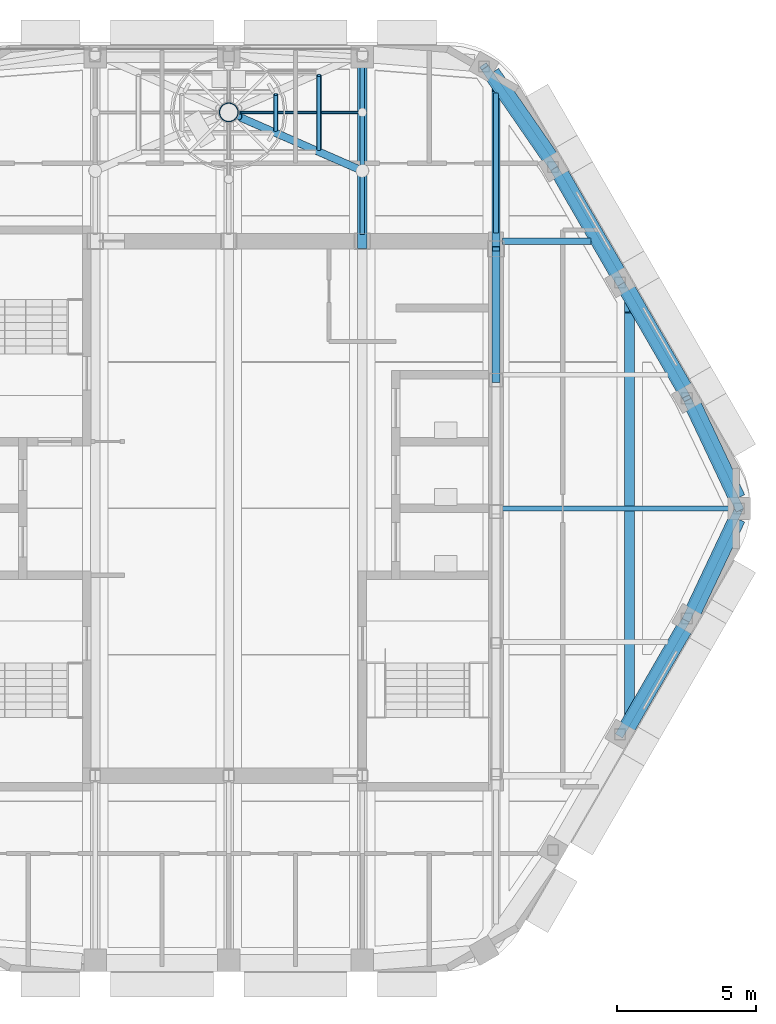
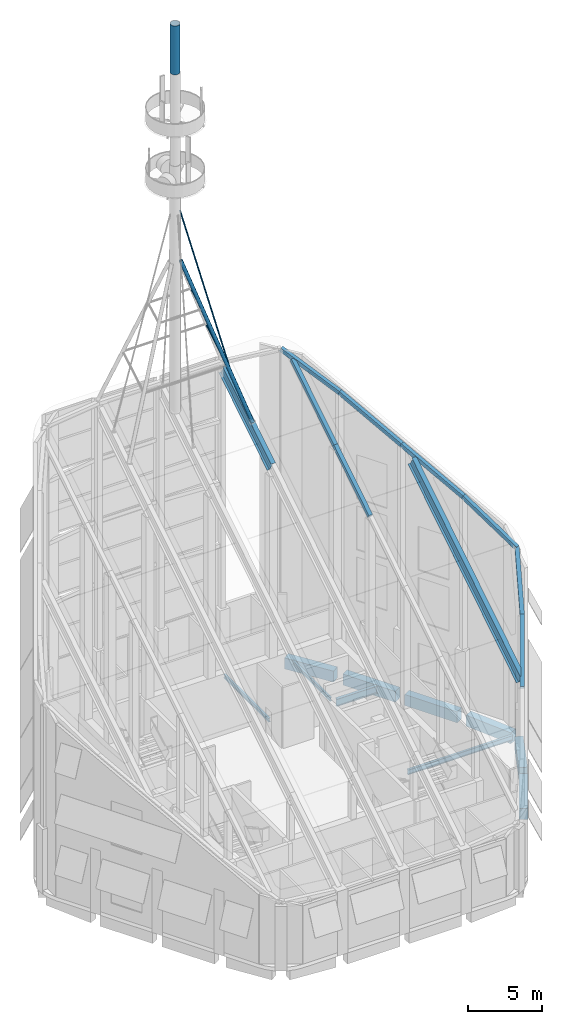
# One storey, part 3 of 25: 15 members, 10 beams.
"""IFC4 building model written with IfcOpenShell, lengths in metres."""

from ifc_helpers import new_model, si_unit, direction, frame, origin, origin_2d, place, context, subcontext, project, spatial, rectangle, hollow_rectangle, hollow_circle, i_section, extrude, material, material_profile, profile_set, type_object, element, save


model = new_model("IFC4")

# Units and contexts
model_context = context("Model", 3, precision=1e-05, world=origin(), true_north=direction((0.0, 1.0)))
body_context = subcontext(model_context, "Body", "Model", "MODEL_VIEW")
ifc_project = project(units=[si_unit("LENGTHUNIT", "METRE"), si_unit("AREAUNIT", "SQUARE_METRE"), si_unit("VOLUMEUNIT", "CUBIC_METRE"), si_unit("PLANEANGLEUNIT", "RADIAN"), si_unit("MASSUNIT", "GRAM", prefix="KILO")], contexts=[model_context])

# Site, building, storey
site_placement = place(None, origin())
site = spatial("IfcSite", under=ifc_project, at=site_placement, CompositionType="ELEMENT")
building_placement = place(site_placement, origin())
building = spatial("IfcBuilding", under=site, at=building_placement, Name="Kolab Exchange Tower", CompositionType="ELEMENT")
storey_placement = place(building_placement, frame((0.0, 0.0, 301.89990234375)))
storey = spatial("IfcBuildingStorey", under=building, at=storey_placement, Name="L68", CompositionType="ELEMENT", Elevation=301.89990234375)

# Members
ifc_material_1 = material(Name="Steel S355", Category="steel")
ifc_material_profile_1 = material_profile(ifc_material_1, hollow_circle(Radius=0.342529296875, WallThickness=0.02001953125, at=origin_2d()), Name="PIPE685X20")
ifc_profile_set_1 = profile_set([ifc_material_profile_1], Name="Steel S355")
member_type_1 = type_object("IfcMemberType", Name="ANTENNA MAST PIPE 685 X 20", PredefinedType="USERDEFINED", material=ifc_profile_set_1)
member_1_placement = place(storey_placement, frame((0.0, 14.227783203125, 51.78076171875), z_axis=(0.0, 0.0, 1.0), x_axis=(1.0, 0.0, 0.0)))
element("IfcMember", 1, at=member_1_placement, inside=storey, type_object=member_type_1, Name="Antenna mast", ObjectType="ANTENNA MAST", PredefinedType="USERDEFINED", context=body_context, shape_type="SweptSolid", body=[
    extrude(hollow_circle(Radius=0.342529296875, WallThickness=0.02001953125, at=origin_2d()), origin(), (0.0, 0.0, 1.0), 3.999755859375),
])
ifc_material_profile_2 = material_profile(ifc_material_1, hollow_rectangle(XDim=0.300048828125, YDim=0.300048828125, WallThickness=0.01611328125, at=origin_2d()), Name="HSS300X300X16")
ifc_profile_set_2 = profile_set([ifc_material_profile_2], Name="Steel S355")
member_type_2 = type_object("IfcMemberType", Name="CROWN RAFTER HSS300X300X16", PredefinedType="RAFTER", material=ifc_profile_set_2)
member_2_placement = place(storey_placement, frame((9.60009765625, 4.606201171875, 17.796875), z_axis=(0.0, 0.848037740871, 0.529935835794), x_axis=(-1.0, 0.0, 0.0)))
element("IfcMember", 2, at=member_2_placement, inside=storey, type_object=member_type_2, Name="mem/L68/crown/rafter-5-5", PredefinedType="RAFTER", context=body_context, shape_type="SweptSolid", body=[
    extrude(hollow_rectangle(XDim=0.300048828125, YDim=0.300048828125, WallThickness=0.01611328125, at=origin_2d()), origin(), (0.0, 0.0, 1.0), 5.564208984375),
])
member_3_placement = place(storey_placement, frame((9.60009765625, 9.324951171875, 20.74560546875), z_axis=(0.0, 0.848061192916, 0.529898304461), x_axis=(-1.0, 0.0, 0.0)))
element("IfcMember", 3, at=member_3_placement, inside=storey, type_object=member_type_2, Name="mem/L68/crown/rafter-5-6", PredefinedType="RAFTER", context=body_context, shape_type="SweptSolid", body=[
    extrude(hollow_rectangle(XDim=0.300048828125, YDim=0.300048828125, WallThickness=0.01611328125, at=origin_2d()), origin(), (0.0, 0.0, 1.0), 6.76025390625),
])
ifc_material_profile_3 = material_profile(ifc_material_1, i_section(OverallWidth=0.35009765625, OverallDepth=1.0, WebThickness=0.02001953125, FlangeThickness=0.035888671875, at=origin_2d()), Name="PG1000X350")
ifc_profile_set_3 = profile_set([ifc_material_profile_3], Name="Steel S355")
member_type_3 = type_object("IfcMemberType", Name="CROWN RAFTER PG1000X350", PredefinedType="RAFTER", material=ifc_profile_set_3)
member_4_placement = place(storey_placement, frame((4.800048828125, 9.60009765625, 20.504638671875), z_axis=(0.0, 0.848041132606, 0.529930408081), x_axis=(-1.0, 0.0, 0.0)))
element("IfcMember", 4, at=member_4_placement, inside=storey, type_object=member_type_3, Name="mem/L68/crown/rafter-4-3", PredefinedType="RAFTER", context=body_context, shape_type="SweptSolid", body=[
    extrude(i_section(OverallWidth=0.35009765625, OverallDepth=1.0, WebThickness=0.02001953125, FlangeThickness=0.035888671875, at=origin_2d()), origin(), (0.0, 0.0, 1.0), 7.685546875),
])
member_5_placement = place(storey_placement, frame((14.39990234375, -7.293701171875, 9.947998046875), z_axis=(0.0, 0.84804135911, 0.529930045608), x_axis=(-1.0, 0.0, 0.0)))
element("IfcMember", 5, at=member_5_placement, inside=storey, type_object=member_type_3, Name="mem/L68/crown/rafter-6", PredefinedType="RAFTER", context=body_context, shape_type="SweptSolid", body=[
    extrude(i_section(OverallWidth=0.35009765625, OverallDepth=1.0, WebThickness=0.02001953125, FlangeThickness=0.035888671875, at=origin_2d()), origin(), (0.0, 0.0, 1.0), 17.201171875),
])
ifc_material_profile_4 = material_profile(ifc_material_1, hollow_rectangle(XDim=0.300048828125, YDim=0.300048828125, WallThickness=0.01611328125, at=origin_2d()), Name="HSS300X300X16")
ifc_profile_set_4 = profile_set([ifc_material_profile_4], Name="Steel S355")
member_type_4 = type_object("IfcMemberType", Name="CROWN RING HSS300X300X16", PredefinedType="CHORD", material=ifc_profile_set_4)
member_6_placement = place(storey_placement, frame((9.16796875, 15.87939453125, 24.867919921875), z_axis=(0.504384324432, -0.732276269465, -0.457567392245), x_axis=(0.823545775966, 0.567249817002, 0.0)))
element("IfcMember", 6, at=member_6_placement, inside=storey, type_object=member_type_4, Name="mem/L68/crown/ring-F2-01", PredefinedType="CHORD", context=body_context, shape_type="SweptSolid", body=[
    extrude(hollow_rectangle(XDim=0.300048828125, YDim=0.300048828125, WallThickness=0.01611328125, at=origin_2d()), origin(), (0.0, 0.0, 1.0), 4.927978515625),
])
member_7_placement = place(storey_placement, frame((11.653564453125, 12.270751953125, 22.613037109375), z_axis=(0.439753810156, -0.761640537639, -0.475941464761), x_axis=(0.866015339567, 0.500017431331, 0.0)))
element("IfcMember", 7, at=member_7_placement, inside=storey, type_object=member_type_4, Name="mem/L68/crown/ring-F2-02", PredefinedType="CHORD", context=body_context, shape_type="SweptSolid", body=[
    extrude(hollow_rectangle(XDim=0.300048828125, YDim=0.300048828125, WallThickness=0.01611328125, at=origin_2d()), origin(), (0.0, 0.0, 1.0), 5.4580078125),
])
member_8_placement = place(storey_placement, frame((14.0537109375, 8.11376953125, 20.015380859375), z_axis=(0.439727089648, -0.761671735039, -0.475916226527), x_axis=(0.866037363387, 0.499979284789, 0.0)))
element("IfcMember", 8, at=member_8_placement, inside=storey, type_object=member_type_4, Name="mem/L68/crown/ring-F2-03", PredefinedType="CHORD", context=body_context, shape_type="SweptSolid", body=[
    extrude(hollow_rectangle(XDim=0.300048828125, YDim=0.300048828125, WallThickness=0.01611328125, at=origin_2d()), origin(), (0.0, 0.0, 1.0), 5.457763671875),
])
member_9_placement = place(storey_placement, frame((16.45361328125, 3.956787109375, 17.41796875), z_axis=(0.374127579536, -0.786444316672, -0.491460976075), x_axis=(0.903025238378, 0.429587498482, 0.0)))
element("IfcMember", 9, at=member_9_placement, inside=storey, type_object=member_type_4, Name="mem/L68/crown/ring-F2-04", PredefinedType="CHORD", context=body_context, shape_type="SweptSolid", body=[
    extrude(hollow_rectangle(XDim=0.300048828125, YDim=0.300048828125, WallThickness=0.01611328125, at=origin_2d()), origin(), (0.0, 0.0, 1.0), 5.03125),
])
member_10_placement = place(storey_placement, frame((18.3359375, 0.0, 14.9453125), z_axis=(-0.374136501659, -0.786463071646, -0.491424170208), x_axis=(0.903025238378, -0.429587498482, 0.0)))
element("IfcMember", 10, at=member_10_placement, inside=storey, type_object=member_type_4, Name="mem/L68/crown/ring-F3-01", PredefinedType="CHORD", context=body_context, shape_type="SweptSolid", body=[
    extrude(hollow_rectangle(XDim=0.300048828125, YDim=0.300048828125, WallThickness=0.01611328125, at=origin_2d()), origin(), (0.0, 0.0, 1.0), 5.031005859375),
])
member_11_placement = place(storey_placement, frame((16.45361328125, -3.956787109375, 12.472900390625), z_axis=(-0.43971772805, -0.76165551938, -0.475950826699), x_axis=(0.866037363387, -0.499979284789, 0.0)))
element("IfcMember", 11, at=member_11_placement, inside=storey, type_object=member_type_4, Name="mem/L68/crown/ring-F3-02", PredefinedType="CHORD", context=body_context, shape_type="SweptSolid", body=[
    extrude(hollow_rectangle(XDim=0.300048828125, YDim=0.300048828125, WallThickness=0.01611328125, at=origin_2d()), origin(), (0.0, 0.0, 1.0), 5.457763671875),
])

# Beams
ifc_material_profile_5 = material_profile(ifc_material_1, i_section(OverallWidth=0.1650390625, OverallDepth=0.31005859375, WebThickness=0.005859375, FlangeThickness=0.009765625, at=origin_2d()), Name="W310X39")
ifc_profile_set_5 = profile_set([ifc_material_profile_5], Name="Steel S355")
beam_type_1 = type_object("IfcBeamType", Name="FLOOR BEAM W310X39", PredefinedType="BEAM", material=ifc_profile_set_5)
beam_1_placement = place(storey_placement, frame((4.800048828125, 9.8349609375, -0.454833984375), z_axis=(0.0, 1.0, 0.0), x_axis=(-1.0, 0.0, 0.0)))
element("IfcBeam", 12, at=beam_1_placement, inside=storey, type_object=beam_type_1, Name="beam/L68/fr/010", PredefinedType="BEAM", context=body_context, shape_type="SweptSolid", body=[
    extrude(i_section(OverallWidth=0.1650390625, OverallDepth=0.31005859375, WebThickness=0.005859375, FlangeThickness=0.009765625, at=origin_2d()), origin(), (0.0, 0.0, 1.0), 6.03271484375),
])
beam_2_placement = place(storey_placement, frame((9.60009765625, 9.885009765625, -0.454833984375), z_axis=(0.0, 1.0, 0.0), x_axis=(-1.0, 0.0, 0.0)))
element("IfcBeam", 13, at=beam_2_placement, inside=storey, type_object=beam_type_1, Name="beam/L68/fr/012", PredefinedType="BEAM", context=body_context, shape_type="SweptSolid", body=[
    extrude(i_section(OverallWidth=0.1650390625, OverallDepth=0.31005859375, WebThickness=0.005859375, FlangeThickness=0.009765625, at=origin_2d()), origin(), (0.0, 0.0, 1.0), 5.04150390625),
])
ifc_material_profile_6 = material_profile(ifc_material_1, i_section(OverallWidth=0.177978515625, OverallDepth=0.406982421875, WebThickness=0.0078125, FlangeThickness=0.0126953125, at=origin_2d()), Name="W410X60")
ifc_profile_set_6 = profile_set([ifc_material_profile_6], Name="Steel S355")
beam_type_2 = type_object("IfcBeamType", Name="FLOOR BEAM W410X60", PredefinedType="BEAM", material=ifc_profile_set_6)
beam_3_placement = place(storey_placement, frame((9.8349609375, 0.0, -0.50341796875), z_axis=(1.0, 0.0, 0.0), x_axis=(0.0, 1.0, 0.0)))
element("IfcBeam", 14, at=beam_3_placement, inside=storey, type_object=beam_type_2, Name="beam/L68/fr/014", PredefinedType="BEAM", context=body_context, shape_type="SweptSolid", body=[
    extrude(i_section(OverallWidth=0.177978515625, OverallDepth=0.406982421875, WebThickness=0.0078125, FlangeThickness=0.0126953125, at=origin_2d()), origin(), (0.0, 0.0, 1.0), 8.140869140625),
])
ifc_material_profile_7 = material_profile(ifc_material_1, i_section(OverallWidth=0.22802734375, OverallDepth=0.60791015625, WebThickness=0.01123046875, FlangeThickness=0.017333984375, at=origin_2d()), Name="W610X113")
ifc_profile_set_7 = profile_set([ifc_material_profile_7], Name="Steel S355")
beam_type_3 = type_object("IfcBeamType", Name="FLOOR GIRDER W610X113", PredefinedType="BEAM", material=ifc_profile_set_7)
beam_4_placement = place(storey_placement, frame((9.8349609375, 9.60009765625, -0.60400390625), z_axis=(1.0, 0.0, 0.0), x_axis=(0.0, 1.0, 0.0)))
element("IfcBeam", 15, at=beam_4_placement, inside=storey, type_object=beam_type_3, Name="beam/L68/gd/003", PredefinedType="BEAM", context=body_context, shape_type="SweptSolid", body=[
    extrude(i_section(OverallWidth=0.22802734375, OverallDepth=0.60791015625, WebThickness=0.01123046875, FlangeThickness=0.017333984375, at=origin_2d()), origin(), (0.0, 0.0, 1.0), 3.169677734375),
])

# Members
ifc_material_profile_8 = material_profile(ifc_material_1, hollow_circle(Radius=0.083984375, WallThickness=0.010009765625, at=origin_2d()), Name="CHS 168X10")
ifc_profile_set_8 = profile_set([ifc_material_profile_8], Name="Steel S355")
member_type_5 = type_object("IfcMemberType", Name="MAST BRACING CHS 168 X 10", PredefinedType="STRUT", material=ifc_profile_set_8)
member_12_placement = place(storey_placement, frame((3.2421875, 12.900390625, 27.47119140625), z_axis=(0.0, 0.856950069904, 0.51539943509), x_axis=(-1.0, 0.0, 0.0)))
element("IfcMember", 16, at=member_12_placement, inside=storey, type_object=member_type_5, Name="Mast quadripod bracing", PredefinedType="STRUT", context=body_context, shape_type="SweptSolid", body=[
    extrude(hollow_circle(Radius=0.083984375, WallThickness=0.010009765625, at=origin_2d()), origin(), (0.0, 0.0, 1.0), 3.097900390625),
])
member_13_placement = place(storey_placement, frame((1.684326171875, 13.58447265625, 32.239501953125), z_axis=(0.0, 0.881944865518, 0.471352579484), x_axis=(-1.0, 0.0, 0.0)))
element("IfcMember", 17, at=member_13_placement, inside=storey, type_object=member_type_5, Name="Mast quadripod bracing", PredefinedType="STRUT", context=body_context, shape_type="SweptSolid", body=[
    extrude(hollow_circle(Radius=0.083984375, WallThickness=0.010009765625, at=origin_2d()), origin(), (0.0, 0.0, 1.0), 1.45849609375),
])
ifc_material_profile_9 = material_profile(ifc_material_1, hollow_circle(Radius=0.136474609375, WallThickness=0.01611328125, at=origin_2d()), Name="CHS 273X16")
ifc_profile_set_9 = profile_set([ifc_material_profile_9], Name="Steel S355")
member_type_6 = type_object("IfcMemberType", Name="MAST LEG CHS 273 X 16", PredefinedType="BRACE", material=ifc_profile_set_9)
member_14_placement = place(storey_placement, frame((4.800048828125, 12.127685546875, 22.643798828125), z_axis=(-0.307458604472, 0.134512085419, 0.942006213043), x_axis=(-0.400816197806, -0.916158488241, 0.0)))
element("IfcMember", 18, at=member_14_placement, inside=storey, type_object=member_type_6, Name="Mast quadripod leg", PredefinedType="BRACE", context=body_context, shape_type="SweptSolid", body=[
    extrude(hollow_circle(Radius=0.136474609375, WallThickness=0.01611328125, at=origin_2d()), origin(), (0.0, 0.0, 1.0), 14.4765625),
])
ifc_material_profile_10 = material_profile(ifc_material_1, hollow_circle(Radius=0.056884765625, WallThickness=0.006103515625, at=origin_2d()), Name="CHS 114X6")
ifc_profile_set_10 = profile_set([ifc_material_profile_10], Name="Steel S355")
member_type_7 = type_object("IfcMemberType", Name="MAST STAY CHS 114 X 6", PredefinedType="BRACE", material=ifc_profile_set_10)
member_15_placement = place(storey_placement, frame((4.800048828125, 14.227783203125, 23.955810546875), z_axis=(-0.261404548725, 0.0, 0.96522933125), x_axis=(0.0, -1.0, 0.0)))
element("IfcMember", 19, at=member_15_placement, inside=storey, type_object=member_type_7, Name="Antenna mast stay", PredefinedType="BRACE", context=body_context, shape_type="SweptSolid", body=[
    extrude(hollow_circle(Radius=0.056884765625, WallThickness=0.006103515625, at=origin_2d()), origin(), (0.0, 0.0, 1.0), 16.9130859375),
])

# Beams
ifc_material_2 = material(Name="Concrete C50/60", Category="concrete")
ifc_material_profile_11 = material_profile(ifc_material_2, rectangle(XDim=0.60009765625, YDim=0.89990234375, at=origin_2d()), Name="RC600X900")
ifc_profile_set_11 = profile_set([ifc_material_profile_11], Name="Concrete C50/60")
beam_type_4 = type_object("IfcBeamType", Name="SPANDREL BEAM 600X900 C50/60", PredefinedType="BEAM", material=ifc_profile_set_11)
beam_5_placement = place(storey_placement, frame((9.447021484375, 15.635009765625, -0.75), z_axis=(0.569005808573, -0.822333502789, 0.0), x_axis=(0.822333502789, 0.569005808573, 0.0)))
element("IfcBeam", 20, at=beam_5_placement, inside=storey, type_object=beam_type_4, Name="beam/L68/sp/F2-01", PredefinedType="BEAM", context=body_context, shape_type="SweptSolid", body=[
    extrude(rectangle(XDim=0.60009765625, YDim=0.89990234375, at=origin_2d()), origin(), (0.0, 0.0, 1.0), 3.6689453125),
])
beam_6_placement = place(storey_placement, frame((11.920166015625, 12.009033203125, -0.75), z_axis=(0.500000428765, -0.866025156237, 0.0), x_axis=(0.866025156237, 0.500000428765, 0.0)))
element("IfcBeam", 21, at=beam_6_placement, inside=storey, type_object=beam_type_4, Name="beam/L68/sp/F2-02", PredefinedType="BEAM", context=body_context, shape_type="SweptSolid", body=[
    extrude(rectangle(XDim=0.60009765625, YDim=0.89990234375, at=origin_2d()), origin(), (0.0, 0.0, 1.0), 4.080078125),
])
beam_7_placement = place(storey_placement, frame((14.3203125, 7.85205078125, -0.75), z_axis=(0.499955548806, -0.866051066172, 0.0), x_axis=(0.866051066172, 0.499955548806, 0.0)))
element("IfcBeam", 22, at=beam_7_placement, inside=storey, type_object=beam_type_4, Name="beam/L68/sp/F2-03", PredefinedType="BEAM", context=body_context, shape_type="SweptSolid", body=[
    extrude(rectangle(XDim=0.60009765625, YDim=0.89990234375, at=origin_2d()), origin(), (0.0, 0.0, 1.0), 4.079833984375),
])
for number, where, z_axis, x_axis, name in (
    (23, (16.69482421875, 3.68017578125, -0.75), (0.427622877227, -0.903957230665, 0.0), (0.903957230665, 0.427622877227, 0.0), "beam/L68/sp/F2-04"),
    (24, (18.263671875, -0.36376953125, -0.75), (-0.427622877227, -0.903957230665, 0.0), (0.903957230665, -0.427622877227, 0.0), "beam/L68/sp/F3-01"),
):
    element("IfcBeam", number, at=place(storey_placement, frame(where, z_axis=z_axis, x_axis=x_axis)), inside=storey, type_object=beam_type_4, Name=name, PredefinedType="BEAM", context=body_context, shape_type="SweptSolid", body=[
        extrude(rectangle(XDim=0.60009765625, YDim=0.89990234375, at=origin_2d()), origin(), (0.0, 0.0, 1.0), 3.668701171875),
    ])
beam_8_placement = place(storey_placement, frame((16.360107421875, -4.318603515625, -0.75), z_axis=(-0.499955548806, -0.866051066172, 0.0), x_axis=(0.866051066172, -0.499955548806, 0.0)))
element("IfcBeam", 25, at=beam_8_placement, inside=storey, type_object=beam_type_4, Name="beam/L68/sp/F3-02", PredefinedType="BEAM", context=body_context, shape_type="SweptSolid", body=[
    extrude(rectangle(XDim=0.60009765625, YDim=0.89990234375, at=origin_2d()), origin(), (0.0, 0.0, 1.0), 4.079833984375),
])

save(model, "model.ifc")
